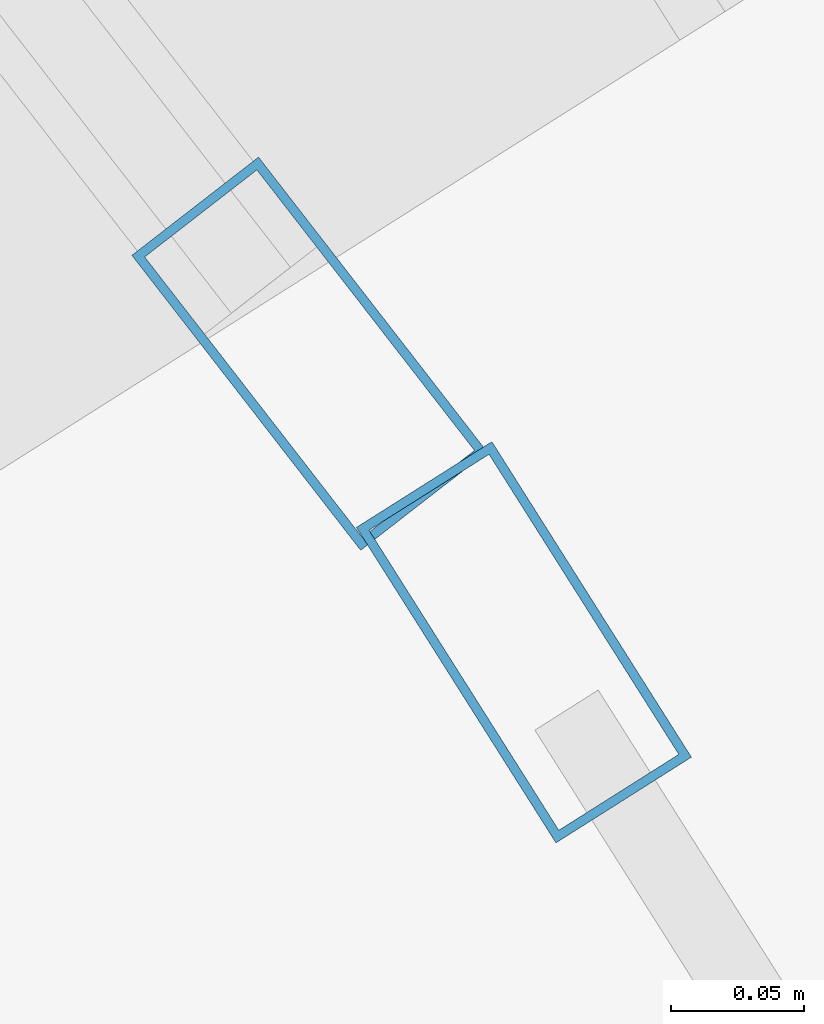
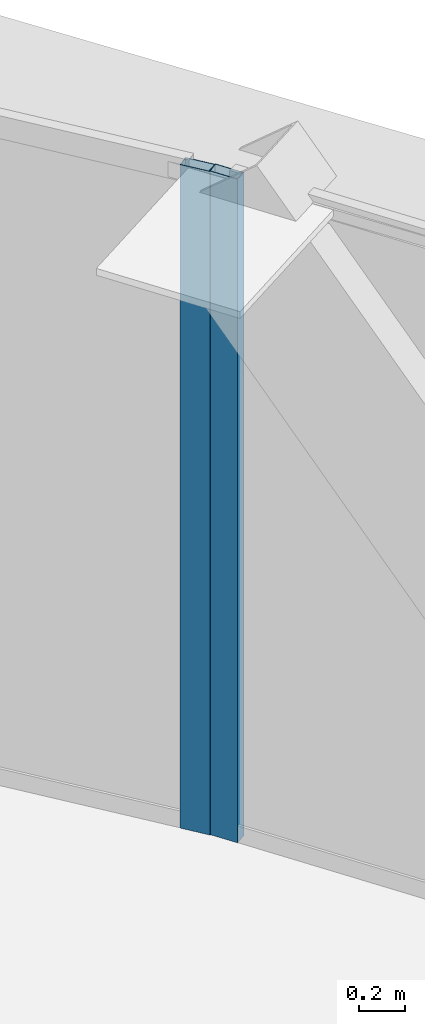
# One storey, part 25 of 34: 2 members, 2 elements without a shape of their own.
"""IFC4 building model written with IfcOpenShell, lengths in metres."""

import ifcopenshell
import ifcopenshell.guid

model = None  # the IFC model being written
_history = None  # IfcOwnerHistory: only IFC2X3 demands one
_inside = {}  # id of a spatial element -> (the spatial element, [elements in it])
_under = {}  # id of a project, library or spatial element -> (it, [spatial elements below it])
_declared = {}  # id of a project -> (the project, [libraries it declares])
_typed = {}  # id of a type object -> (the type object, [elements of that type])
_made_of = {}  # id of a material, layer set ... -> (it, [elements and type objects made of it])


def new_model(schema):
    """Start an empty IFC model of exactly this schema.

    Asked for "IFC4X3", IfcOpenShell would pick the latest addendum, in which some entities
    have other attributes; the version numbers below select the first issue.
    IFC2X3 requires an IfcOwnerHistory on every rooted entity: one is made here for all.
    """
    global model, _history
    if schema == "IFC4X3":
        model = ifcopenshell.file(schema_version=(4, 3, 0, 0))
    else:
        model = ifcopenshell.file(schema=schema)
    _inside.clear()
    _under.clear()
    _declared.clear()
    _typed.clear()
    _made_of.clear()
    _history = None
    if model.schema == "IFC2X3":
        org = make("IfcOrganization", Name="unknown")
        user = make(
            "IfcPersonAndOrganization",
            ThePerson=make("IfcPerson", FamilyName="unknown"),
            TheOrganization=org,
        )
        app = make(
            "IfcApplication",
            ApplicationDeveloper=org,
            Version="unknown",
            ApplicationFullName="unknown",
            ApplicationIdentifier="unknown",
        )
        _history = make(
            "IfcOwnerHistory",
            OwningUser=user,
            OwningApplication=app,
            ChangeAction="ADDED",
            CreationDate=0,
        )
    return model


def make(cls, **values):
    """One entity of the class cls with the attributes given. An attribute that is None is left unset."""
    return model.create_entity(
        cls, **{name: value for name, value in values.items() if value is not None}
    )


def rooted(cls, **values):
    """An entity with a GlobalId (a new one), such as an element, a storey or a relation."""
    return make(cls, GlobalId=ifcopenshell.guid.new(), OwnerHistory=_history, **values)


def si_unit(unit_type, name, prefix=None):
    """IfcSIUnit, for example si_unit("LENGTHUNIT", "METRE", prefix="MILLI")."""
    return make("IfcSIUnit", UnitType=unit_type, Prefix=prefix, Name=name)


def assignment(units):
    """IfcUnitAssignment: the units of a project."""
    return None if units is None else make("IfcUnitAssignment", Units=units)


def point(xyz):
    """IfcCartesianPoint."""
    return None if xyz is None else make("IfcCartesianPoint", Coordinates=xyz)


def direction(xyz):
    """IfcDirection."""
    return None if xyz is None else make("IfcDirection", DirectionRatios=xyz)


def frame(location, z_axis=None, x_axis=None):
    """IfcAxis2Placement3D, a coordinate frame: its origin and axes. An axis left out is left unset."""
    return make(
        "IfcAxis2Placement3D",
        Location=point(location),
        Axis=direction(z_axis),
        RefDirection=direction(x_axis),
    )


def frame_2d(location, x_axis=None):
    """IfcAxis2Placement2D, a coordinate frame in the plane: its origin and x axis."""
    return make(
        "IfcAxis2Placement2D", Location=point(location), RefDirection=direction(x_axis)
    )


def origin():
    """The frame at (0, 0, 0) with its axes left unset."""
    return frame((0.0, 0.0, 0.0))


def origin_2d():
    """The frame at (0, 0) in the plane with its x axis left unset."""
    return frame_2d((0.0, 0.0))


def place(relative_to, where):
    """IfcLocalPlacement: puts the frame where relative to a parent placement (None: the world)."""
    return make(
        "IfcLocalPlacement", PlacementRelTo=relative_to, RelativePlacement=where
    )


def context(
    kind, dimensions, precision=None, world=None, true_north=None, identifier=None
):
    """IfcGeometricRepresentationContext, for example the 3D "Model" context."""
    return make(
        "IfcGeometricRepresentationContext",
        ContextIdentifier=identifier,
        ContextType=kind,
        CoordinateSpaceDimension=dimensions,
        Precision=precision,
        WorldCoordinateSystem=world,
        TrueNorth=true_north,
    )


def subcontext(parent, identifier, kind, view, scale=None):
    """IfcGeometricRepresentationSubContext, for example "Body" below "Model"."""
    return make(
        "IfcGeometricRepresentationSubContext",
        ContextIdentifier=identifier,
        ContextType=kind,
        ParentContext=parent,
        TargetScale=scale,
        TargetView=view,
    )


def project(units=None, contexts=None):
    """IfcProject with its units and contexts."""
    return rooted(
        "IfcProject",
        Name="project",
        RepresentationContexts=contexts,
        UnitsInContext=assignment(units),
    )


def spatial(cls, under=None, at=None, **own):
    """A site, building, storey or space (cls), placed at a placement, below another one or the project."""
    s = rooted(cls, ObjectPlacement=at, **own)
    if under is not None:
        _under.setdefault(under.id(), (under, []))[1].append(s)
    return s


def profile(cls, at=None, kind="AREA", **sizes):
    """A parametric profile (cls). Its sizes go by their IFC names, for example OverallWidth=200.0."""
    return make(cls, ProfileType=kind, Position=at, **sizes)


def hollow_rectangle(**sizes):
    """IfcRectangleHollowProfileDef."""
    return profile("IfcRectangleHollowProfileDef", **sizes)


def extrude(swept, where, along, depth):
    """IfcExtrudedAreaSolid: the profile swept, set in the frame where, extruded along a direction by depth."""
    return make(
        "IfcExtrudedAreaSolid",
        SweptArea=swept,
        Position=where,
        ExtrudedDirection=direction(along),
        Depth=depth,
    )


def shape(context_of_items, identifier, shape_type, items):
    """IfcShapeRepresentation: the items that make up one representation, for example the "Body"."""
    return make(
        "IfcShapeRepresentation",
        ContextOfItems=context_of_items,
        RepresentationIdentifier=identifier,
        RepresentationType=shape_type,
        Items=items,
    )


def source(mapping_origin, context_of_items, identifier, shape_type, items):
    """IfcRepresentationMap: a shape defined once, which mapped items show again and again."""
    return make(
        "IfcRepresentationMap",
        MappingOrigin=mapping_origin,
        MappedRepresentation=shape(context_of_items, identifier, shape_type, items),
    )


def transform(
    local_origin,
    x_axis=None,
    y_axis=None,
    z_axis=None,
    scale=None,
    scale2=None,
    scale3=None,
    uniform=True,
):
    """IfcCartesianTransformationOperator3D, or its non-uniform kind. x_axis, y_axis, z_axis: its Axis1, 2, 3."""
    if uniform:
        return make(
            "IfcCartesianTransformationOperator3D",
            Axis1=direction(x_axis),
            Axis2=direction(y_axis),
            LocalOrigin=point(local_origin),
            Scale=scale,
            Axis3=direction(z_axis),
        )
    return make(
        "IfcCartesianTransformationOperator3DnonUniform",
        Axis1=direction(x_axis),
        Axis2=direction(y_axis),
        LocalOrigin=point(local_origin),
        Scale=scale,
        Axis3=direction(z_axis),
        Scale2=scale2,
        Scale3=scale3,
    )


def mapped(mapping_source, mapping_target):
    """IfcMappedItem: shows the shape of a source again, moved by a transform."""
    return make(
        "IfcMappedItem", MappingSource=mapping_source, MappingTarget=mapping_target
    )


def material(Name=None, Category=None):
    """IfcMaterial."""
    return make("IfcMaterial", Name=Name, Category=Category)


def layer(
    of_material, thickness, ventilated=None, Name=None, Category=None, Priority=None
):
    """IfcMaterialLayer: one layer of a wall or slab, of a material (None: an air gap)."""
    return make(
        "IfcMaterialLayer",
        Material=of_material,
        LayerThickness=thickness,
        IsVentilated=ventilated,
        Name=Name,
        Category=Category,
        Priority=Priority,
    )


def layer_set(layers, Name=None):
    """IfcMaterialLayerSet."""
    return make("IfcMaterialLayerSet", MaterialLayers=layers, LayerSetName=Name)


def material_profile(
    of_material, cross_section, Name=None, Category=None, Priority=None
):
    """IfcMaterialProfile: a cross section and its material."""
    return make(
        "IfcMaterialProfile",
        Name=Name,
        Material=of_material,
        Profile=cross_section,
        Priority=Priority,
        Category=Category,
    )


def profile_set(profiles, Name=None, composite=None):
    """IfcMaterialProfileSet."""
    return make(
        "IfcMaterialProfileSet",
        Name=Name,
        MaterialProfiles=profiles,
        CompositeProfile=composite,
    )


def made_of(thing, what):
    """Note that an element or type object is made of a material, layer set ...; save() writes the relation."""
    if what is not None:
        _made_of.setdefault(what.id(), (what, []))[1].append(thing)
    return thing


def type_object(cls, material=None, **own):
    """A type object (cls), such as IfcWallType, which elements share."""
    return made_of(rooted(cls, **own), material)


def element(
    cls,
    number,
    at=None,
    inside=None,
    cuts=None,
    type_object=None,
    material=None,
    context=None,
    identifier="Body",
    shape_type=None,
    held_by="IfcProductDefinitionShape",
    body=None,
    shapes=None,
    **own,
):
    """One element of the class cls, such as IfcWall. Its Tag is "e" and its number.

    at: its placement. inside: the storey or other place that contains it. cuts: it is an
    opening in that element (IfcRelVoidsElement). A single representation is given by context,
    identifier, shape_type and body (its items); several are given by shapes. held_by: the class
    of the entity that holds the representations. save() writes the other relations.
    """
    e = rooted(cls, Tag="e%d" % number, ObjectPlacement=at, **own)
    if body is not None:
        shapes = [shape(context, identifier, shape_type, body)]
    if shapes is not None:
        e.Representation = make(held_by, Representations=shapes)
    if inside is not None:
        _inside.setdefault(inside.id(), (inside, []))[1].append(e)
    if cuts is not None:
        rooted(
            "IfcRelVoidsElement", RelatingBuildingElement=cuts, RelatedOpeningElement=e
        )
    if type_object is not None:
        _typed.setdefault(type_object.id(), (type_object, []))[1].append(e)
    return made_of(e, material)


def aggregate(whole, parts):
    """IfcRelAggregates: a whole, such as a stair, and the parts it consists of."""
    return rooted("IfcRelAggregates", RelatingObject=whole, RelatedObjects=parts)


def save(model, path):
    """Write the relations noted so far, then the file.

    IfcRelAggregates (storeys below a building ...), IfcRelContainedInSpatialStructure (elements
    in a storey), IfcRelDefinesByType, IfcRelAssociatesMaterial and IfcRelDeclares: one each for
    every whole, place, type object, material and project.
    """
    for whole, parts in _under.values():
        aggregate(whole, parts)
    for where, things in _inside.values():
        rooted(
            "IfcRelContainedInSpatialStructure",
            RelatedElements=things,
            RelatingStructure=where,
        )
    for kind, things in _typed.values():
        rooted("IfcRelDefinesByType", RelatedObjects=things, RelatingType=kind)
    for what, things in _made_of.values():
        rooted("IfcRelAssociatesMaterial", RelatedObjects=things, RelatingMaterial=what)
    for by, libraries in _declared.values():
        rooted("IfcRelDeclares", RelatingContext=by, RelatedDefinitions=libraries)
    model.write(path)


model = new_model("IFC4")

# Units and contexts
model_context = context("Model", 3, precision=1e-05, world=origin(), true_north=direction((0.0, 1.0)))
body_context = subcontext(model_context, "Body", "Model", "MODEL_VIEW")
ifc_project = project(units=[si_unit("LENGTHUNIT", "METRE"), si_unit("AREAUNIT", "SQUARE_METRE"), si_unit("VOLUMEUNIT", "CUBIC_METRE"), si_unit("PLANEANGLEUNIT", "RADIAN"), si_unit("MASSUNIT", "GRAM", prefix="KILO"), si_unit("THERMODYNAMICTEMPERATUREUNIT", "KELVIN"), si_unit("POWERUNIT", "WATT")], contexts=[model_context])

# Site, building, storey
site_placement = place(None, origin())
site = spatial("IfcSite", under=ifc_project, at=site_placement, CompositionType="ELEMENT")
building_placement = place(site_placement, origin())
building = spatial("IfcBuilding", under=site, at=building_placement, Name="Yunzhuo Pagoda Commons", CompositionType="ELEMENT")
storey_placement = place(building_placement, frame((0.0, 0.0, 333.010009765625)))
storey = spatial("IfcBuildingStorey", under=building, at=storey_placement, Name="L83", CompositionType="ELEMENT", Elevation=333.010009765625)

# Curtain wall, member
ifc_material = material(Name="Anodized aluminium 6063-T6", Category="aluminium")
ifc_layer = layer(ifc_material, 0.139892578125)
ifc_layer_set = layer_set([ifc_layer], Name="Anodized aluminium 6063-T6")
curtain_wall_type = type_object("IfcCurtainWallType", Name="CW-HI High-Zone Ribbon Curtain Wall", PredefinedType="NOTDEFINED", material=ifc_layer_set)
curtain_wall_1_placement = place(storey_placement, origin())
curtain_wall_1 = element("IfcCurtainWall", 1, at=curtain_wall_1_placement, inside=storey, type_object=curtain_wall_type, Name="L83 curtain wall CW-L83-F2B4", PredefinedType="NOTDEFINED")
ifc_material_profile = material_profile(ifc_material, hollow_rectangle(XDim=0.06005859375, YDim=0.139892578125, WallThickness=0.00341796875, at=origin_2d()), Name="Anodized aluminium 6063-T6")
ifc_profile_set = profile_set([ifc_material_profile], Name="Anodized aluminium 6063-T6")
member_type = type_object("IfcMemberType", Name="CW-HI-M Mullion RHS 140x60x3.5", PredefinedType="MULLION", material=ifc_profile_set)
shared_shape = source(origin(), body_context, "Body", "SweptSolid", [
    extrude(hollow_rectangle(XDim=0.06005859375, YDim=0.139892578125, WallThickness=0.00341796875, at=origin_2d()), origin(), (0.0, 0.0, 1.0), 3.489990234375),
])
member_1_placement = place(storey_placement, frame((60.234130859375, 61.117431640625, 0.0), z_axis=(0.0, 0.0, 1.0), x_axis=(-0.845148830397, -0.534531060349, 0.0)))
member_1 = element("IfcMember", 2, at=member_1_placement, type_object=member_type, Name="CW mullion 2", PredefinedType="MULLION", context=body_context, shape_type="MappedRepresentation", body=[
    mapped(shared_shape, transform((0.0, 0.0, 0.0), scale=1.0)),
])
aggregate(curtain_wall_1, [member_1])

curtain_wall_2_placement = place(storey_placement, origin())
curtain_wall_2 = element("IfcCurtainWall", 3, at=curtain_wall_2_placement, inside=storey, type_object=curtain_wall_type, Name="L83 curtain wall CW-L83-F2B5", PredefinedType="NOTDEFINED")
member_2_placement = place(storey_placement, frame((60.15380859375, 61.2255859375, 0.0), z_axis=(0.0, 0.0, 1.0), x_axis=(-0.790146906982, -0.612917502921, 0.0)))
member_2 = element("IfcMember", 4, at=member_2_placement, type_object=member_type, Name="CW mullion 1", PredefinedType="MULLION", context=body_context, shape_type="MappedRepresentation", body=[
    mapped(shared_shape, transform((0.0, 0.0, 0.0), scale=1.0)),
])
aggregate(curtain_wall_2, [member_2])

save(model, "model.ifc")
